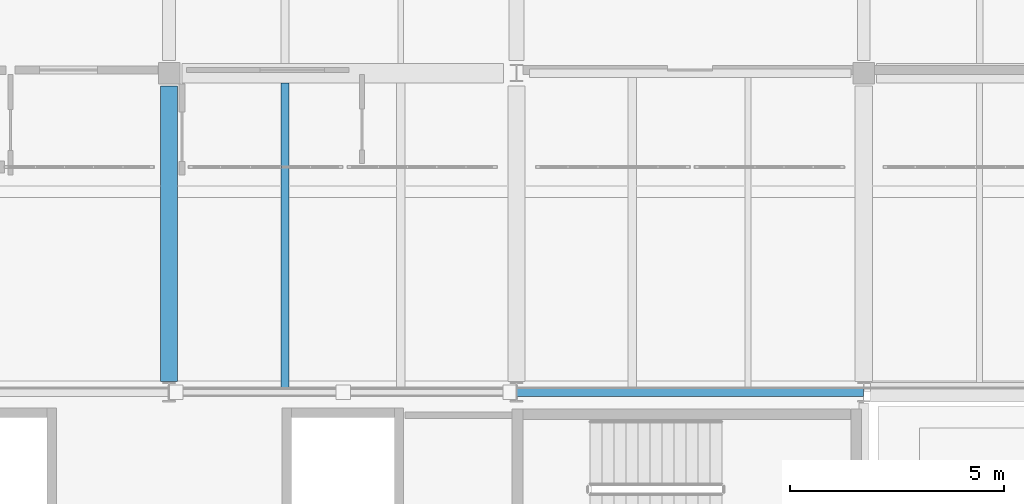
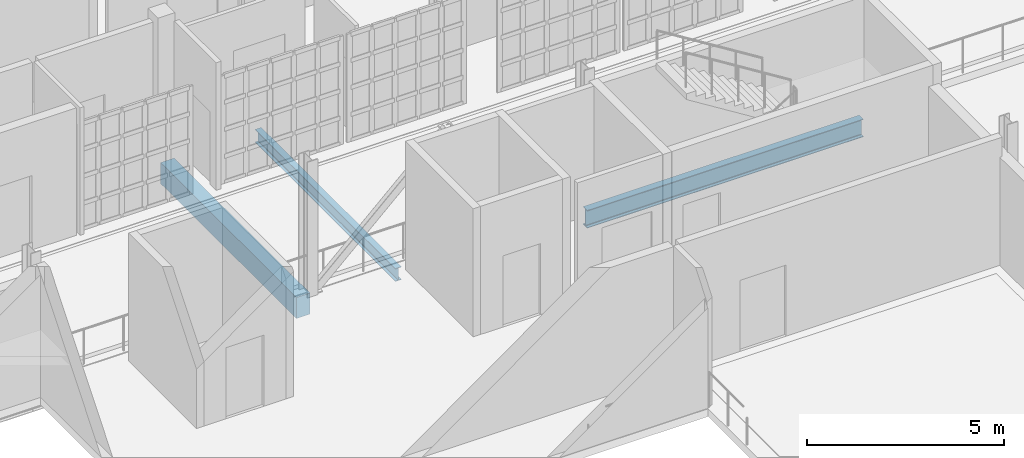
# One storey, part 5 of 25: 3 beams.
"""IFC4 building model written with IfcOpenShell, lengths in metres."""

from ifc_helpers import new_model, si_unit, direction, frame, origin, origin_2d, place, context, subcontext, project, spatial, rectangle, i_section, extrude, material, material_profile, profile_set, type_object, element, save


model = new_model("IFC4")

# Units and contexts
model_context = context("Model", 3, precision=1e-05, world=origin(), true_north=direction((0.0, 1.0)))
body_context = subcontext(model_context, "Body", "Model", "MODEL_VIEW")
ifc_project = project(units=[si_unit("LENGTHUNIT", "METRE"), si_unit("AREAUNIT", "SQUARE_METRE"), si_unit("VOLUMEUNIT", "CUBIC_METRE"), si_unit("PLANEANGLEUNIT", "RADIAN"), si_unit("MASSUNIT", "GRAM", prefix="KILO")], contexts=[model_context])

# Site, building, storey
site_placement = place(None, origin())
site = spatial("IfcSite", under=ifc_project, at=site_placement, CompositionType="ELEMENT")
building_placement = place(site_placement, origin())
building = spatial("IfcBuilding", under=site, at=building_placement, Name="Kaelora Sail Theatre", CompositionType="ELEMENT")
storey_placement = place(building_placement, frame((0.0, 0.0, 19.199951171875)))
storey = spatial("IfcBuildingStorey", under=building, at=storey_placement, Name="L04", CompositionType="ELEMENT", Elevation=19.199951171875)

# Beams
ifc_material_1 = material(Name="Steel S355", Category="steel")
ifc_material_profile_1 = material_profile(ifc_material_1, i_section(OverallWidth=0.2099609375, OverallDepth=0.550048828125, WebThickness=0.010986328125, FlangeThickness=0.01708984375, FilletRadius=0.02392578125, at=origin_2d()), Name="IPE 550")
ifc_profile_set_1 = profile_set([ifc_material_profile_1], Name="Steel S355")
beam_type_1 = type_object("IfcBeamType", Name="STR-BM-BM-IPE550", PredefinedType="USERDEFINED", material=ifc_profile_set_1)
beam_1_placement = place(storey_placement, frame((50.10888671875, 83.340087890625, -0.530029296875), z_axis=(1.0, 0.0, 0.0), x_axis=(0.0, 1.0, 0.0)))
element("IfcBeam", 1, at=beam_1_placement, inside=storey, type_object=beam_type_1, Name="Primary beam L 7-8 (L04)", ObjectType="GIRDER", PredefinedType="USERDEFINED", context=body_context, shape_type="SweptSolid", body=[
    extrude(i_section(OverallWidth=0.2099609375, OverallDepth=0.550048828125, WebThickness=0.010986328125, FlangeThickness=0.01708984375, FilletRadius=0.02392578125, at=origin_2d()), origin(), (0.0, 0.0, 1.0), 8.08203125),
])
ifc_material_2 = material(Name="Concrete C40/50", Category="concrete")
ifc_material_profile_2 = material_profile(ifc_material_2, rectangle(XDim=0.39990234375, YDim=0.64990234375, at=origin_2d()), Name="RC-BM 400x650")
ifc_profile_set_2 = profile_set([ifc_material_profile_2], Name="Concrete C40/50")
beam_type_2 = type_object("IfcBeamType", Name="STR-BM-BM-RC4065", PredefinedType="BEAM", material=ifc_profile_set_2)
beam_2_placement = place(storey_placement, frame((42.0, 83.590087890625, -0.579833984375), z_axis=(0.0, 1.0, 0.0), x_axis=(-1.0, 0.0, 0.0)))
element("IfcBeam", 2, at=beam_2_placement, inside=storey, type_object=beam_type_2, Name="Primary beam 6 L-M (L04)", PredefinedType="BEAM", context=body_context, shape_type="SweptSolid", body=[
    extrude(rectangle(XDim=0.39990234375, YDim=0.64990234375, at=origin_2d()), origin(), (0.0, 0.0, 1.0), 6.889892578125),
])
ifc_material_3 = material(Name="Steel S355", Category="steel")
ifc_material_profile_3 = material_profile(ifc_material_3, i_section(OverallWidth=0.179931640625, OverallDepth=0.39990234375, WebThickness=0.008544921875, FlangeThickness=0.013427734375, FilletRadius=0.02099609375, at=origin_2d()), Name="IPE 400")
ifc_profile_set_3 = profile_set([ifc_material_profile_3], Name="Steel S355")
beam_type_3 = type_object("IfcBeamType", Name="STR-BM-JS-IPE400", PredefinedType="JOIST", material=ifc_profile_set_3)
beam_3_placement = place(storey_placement, frame((44.699951171875, 83.445068359375, -0.454833984375), z_axis=(0.0, 1.0, 0.0), x_axis=(-1.0, 0.0, 0.0)))
element("IfcBeam", 3, at=beam_3_placement, inside=storey, type_object=beam_type_3, Name="Secondary floor joist 6/L-1 (L04)", PredefinedType="JOIST", context=body_context, shape_type="SweptSolid", body=[
    extrude(i_section(OverallWidth=0.179931640625, OverallDepth=0.39990234375, WebThickness=0.008544921875, FlangeThickness=0.013427734375, FilletRadius=0.02099609375, at=origin_2d()), origin(), (0.0, 0.0, 1.0), 7.10986328125),
])

save(model, "model.ifc")
